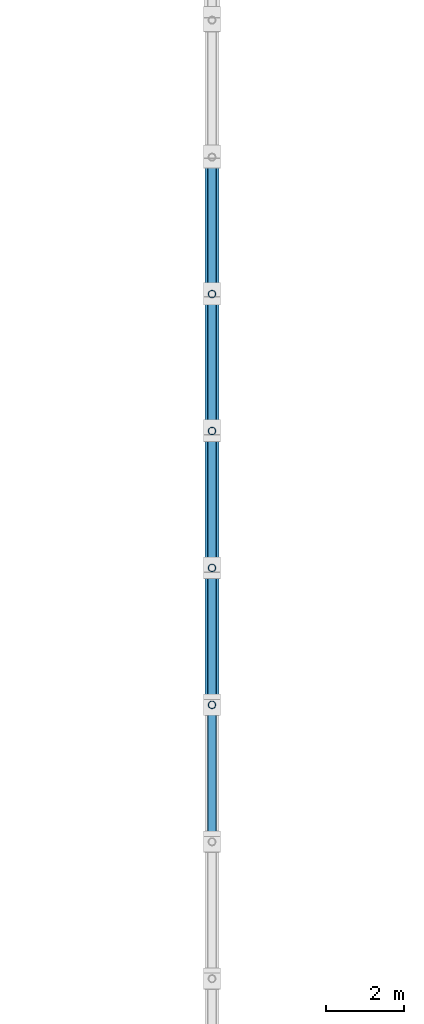
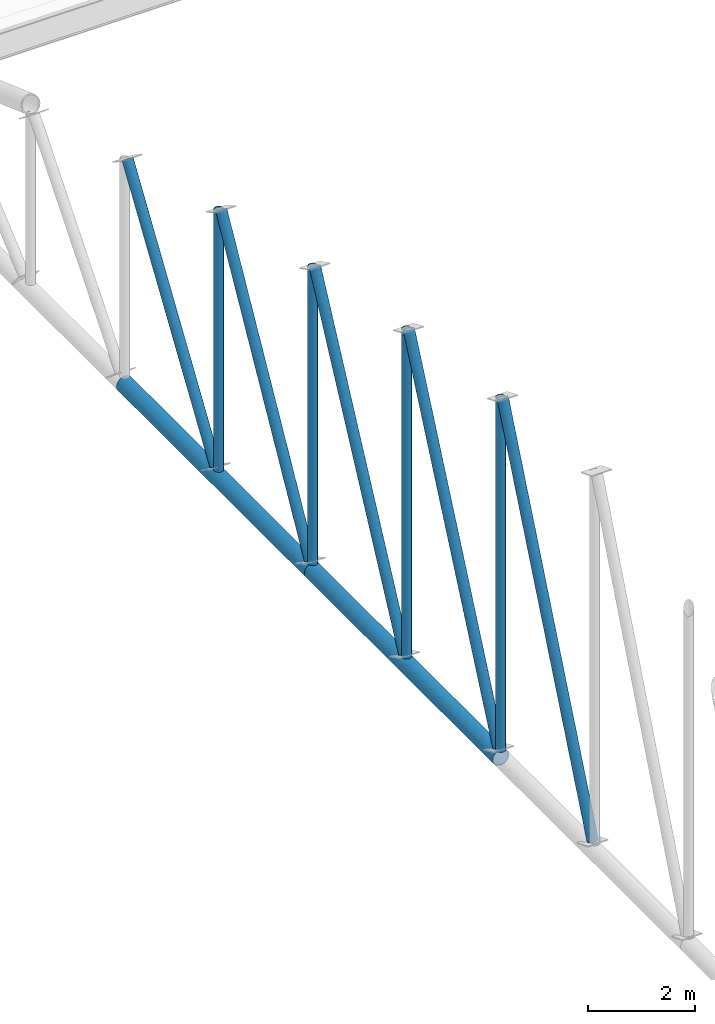
# One storey, part 75 of 196: 11 members.
"""IFC4 building model written with IfcOpenShell, lengths in metres."""

from ifc_helpers import new_model, si_unit, direction, frame, origin, origin_2d, place, context, subcontext, project, spatial, hollow_circle, extrude, material, material_profile, profile_set, type_object, element, save


model = new_model("IFC4")

# Units and contexts
model_context = context("Model", 3, precision=1e-05, world=origin(), true_north=direction((0.0, 1.0)))
body_context = subcontext(model_context, "Body", "Model", "MODEL_VIEW")
ifc_project = project(units=[si_unit("LENGTHUNIT", "METRE"), si_unit("AREAUNIT", "SQUARE_METRE"), si_unit("VOLUMEUNIT", "CUBIC_METRE"), si_unit("PLANEANGLEUNIT", "RADIAN"), si_unit("MASSUNIT", "GRAM", prefix="KILO")], contexts=[model_context])

# Site, building, storey
site_placement = place(None, origin())
site = spatial("IfcSite", under=ifc_project, at=site_placement, CompositionType="ELEMENT")
building_placement = place(site_placement, origin())
building = spatial("IfcBuilding", under=site, at=building_placement, Name="Okhra Congress Centre", CompositionType="ELEMENT")
storey_placement = place(building_placement, frame((0.0, 0.0, 12.0)))
storey = spatial("IfcBuildingStorey", under=building, at=storey_placement, Name="L02", CompositionType="ELEMENT", Elevation=12.0)

# Members
ifc_material = material(Name="Steel S355J2H", Category="steel")
ifc_material_profile_1 = material_profile(ifc_material, hollow_circle(Radius=0.096923828125, WallThickness=0.008056640625, at=origin_2d()), Name="CHS 193.7x8.0")
ifc_profile_set_1 = profile_set([ifc_material_profile_1], Name="Steel S355J2H")
member_type_1 = type_object("IfcMemberType", Name="CHS 193.7x8.0", PredefinedType="POST", material=ifc_profile_set_1)
member_1_placement = place(storey_placement, frame((82.0, 188.0, 1.577880859375), z_axis=(0.0, 0.0, 1.0), x_axis=(1.0, 0.0, 0.0)))
element("IfcMember", 1, at=member_1_placement, inside=storey, type_object=member_type_1, Name="EH.MEM.L02.T4-VER-16", PredefinedType="POST", context=body_context, shape_type="SweptSolid", body=[
    extrude(hollow_circle(Radius=0.096923828125, WallThickness=0.008056640625, at=origin_2d()), origin(), (0.0, 0.0, 1.0), 8.01708984375),
])
member_2_placement = place(storey_placement, frame((82.0, 191.5, 1.577880859375), z_axis=(0.0, 0.0, 1.0), x_axis=(1.0, 0.0, 0.0)))
element("IfcMember", 2, at=member_2_placement, inside=storey, type_object=member_type_1, Name="EH.MEM.L02.T4-VER-17", PredefinedType="POST", context=body_context, shape_type="SweptSolid", body=[
    extrude(hollow_circle(Radius=0.096923828125, WallThickness=0.008056640625, at=origin_2d()), origin(), (0.0, 0.0, 1.0), 7.448974609375),
])
member_3_placement = place(storey_placement, frame((82.0, 195.0, 1.577880859375), z_axis=(0.0, 0.0, 1.0), x_axis=(1.0, 0.0, 0.0)))
element("IfcMember", 3, at=member_3_placement, inside=storey, type_object=member_type_1, Name="EH.MEM.L02.T4-VER-18", PredefinedType="POST", context=body_context, shape_type="SweptSolid", body=[
    extrude(hollow_circle(Radius=0.096923828125, WallThickness=0.008056640625, at=origin_2d()), origin(), (0.0, 0.0, 1.0), 6.750244140625),
])
member_4_placement = place(storey_placement, frame((82.0, 198.5, 1.577880859375), z_axis=(0.0, 0.0, 1.0), x_axis=(1.0, 0.0, 0.0)))
element("IfcMember", 4, at=member_4_placement, inside=storey, type_object=member_type_1, Name="EH.MEM.L02.T4-VER-19", PredefinedType="POST", context=body_context, shape_type="SweptSolid", body=[
    extrude(hollow_circle(Radius=0.096923828125, WallThickness=0.008056640625, at=origin_2d()), origin(), (0.0, 0.0, 1.0), 5.917724609375),
])
ifc_material_profile_2 = material_profile(ifc_material, hollow_circle(Radius=0.109619140625, WallThickness=0.010009765625, at=origin_2d()), Name="CHS 219.1x10.0")
ifc_profile_set_2 = profile_set([ifc_material_profile_2], Name="Steel S355J2H")
member_type_2 = type_object("IfcMemberType", Name="CHS 219.1x10.0", PredefinedType="BRACE", material=ifc_profile_set_2)
member_5_placement = place(storey_placement, frame((82.0, 187.926513671875, 9.6240234375), z_axis=(0.0, -0.384613395842, -0.92307775173), x_axis=(1.0, 0.0, 0.0)))
element("IfcMember", 5, at=member_5_placement, inside=storey, type_object=member_type_2, Name="EH.MEM.L02.T4-DIA-15", PredefinedType="BRACE", context=body_context, shape_type="SweptSolid", body=[
    extrude(hollow_circle(Radius=0.109619140625, WallThickness=0.010009765625, at=origin_2d()), origin(), (0.0, 0.0, 1.0), 8.716552734375),
])
member_6_placement = place(storey_placement, frame((82.0, 191.42236328125, 9.0595703125), z_axis=(0.0, -0.407953800593, -0.913002572057), x_axis=(1.0, 0.0, 0.0)))
element("IfcMember", 6, at=member_6_placement, inside=storey, type_object=member_type_2, Name="EH.MEM.L02.T4-DIA-16", PredefinedType="BRACE", context=body_context, shape_type="SweptSolid", body=[
    extrude(hollow_circle(Radius=0.109619140625, WallThickness=0.010009765625, at=origin_2d()), origin(), (0.0, 0.0, 1.0), 8.194580078125),
])
member_7_placement = place(storey_placement, frame((82.0, 194.916259765625, 8.365234375), z_axis=(0.0, -0.440367038805, -0.897817838503), x_axis=(1.0, 0.0, 0.0)))
element("IfcMember", 7, at=member_7_placement, inside=storey, type_object=member_type_2, Name="EH.MEM.L02.T4-DIA-17", PredefinedType="BRACE", context=body_context, shape_type="SweptSolid", body=[
    extrude(hollow_circle(Radius=0.109619140625, WallThickness=0.010009765625, at=origin_2d()), origin(), (0.0, 0.0, 1.0), 7.559814453125),
])
member_8_placement = place(storey_placement, frame((82.0, 198.4072265625, 7.538330078125), z_axis=(0.0, -0.485332749729, -0.874329527147), x_axis=(1.0, 0.0, 0.0)))
element("IfcMember", 8, at=member_8_placement, inside=storey, type_object=member_type_2, Name="EH.MEM.L02.T4-DIA-18", PredefinedType="BRACE", context=body_context, shape_type="SweptSolid", body=[
    extrude(hollow_circle(Radius=0.109619140625, WallThickness=0.010009765625, at=origin_2d()), origin(), (0.0, 0.0, 1.0), 6.817138671875),
])
ifc_material_profile_3 = material_profile(ifc_material, hollow_circle(Radius=0.109619140625, WallThickness=0.012451171875, at=origin_2d()), Name="CHS 219.1x12.5")
ifc_profile_set_3 = profile_set([ifc_material_profile_3], Name="Steel S355J2H")
member_type_3 = type_object("IfcMemberType", Name="CHS 219.1x12.5", PredefinedType="BRACE", material=ifc_profile_set_3)
member_9_placement = place(storey_placement, frame((82.0, 201.89404296875, 6.576416015625), z_axis=(0.0, -0.548312008951, -0.836273843211), x_axis=(1.0, 0.0, 0.0)))
element("IfcMember", 9, at=member_9_placement, inside=storey, type_object=member_type_3, Name="EH.MEM.L02.T4-DIA-19", PredefinedType="BRACE", context=body_context, shape_type="SweptSolid", body=[
    extrude(hollow_circle(Radius=0.109619140625, WallThickness=0.012451171875, at=origin_2d()), origin(), (0.0, 0.0, 1.0), 5.97705078125),
])
ifc_material_profile_4 = material_profile(ifc_material, hollow_circle(Radius=0.177734375, WallThickness=0.01611328125, at=origin_2d()), Name="CHS 355.6x16.0")
ifc_profile_set_4 = profile_set([ifc_material_profile_4], Name="Steel S355J2H")
member_type_4 = type_object("IfcMemberType", Name="CHS 355.6x16.0", PredefinedType="CHORD", material=ifc_profile_set_4)
for number, where, z_axis, x_axis, name in (
    (10, (82.0, 188.0, 1.39990234375), (0.0, 1.0, 0.0), (-1.0, 0.0, 0.0), "EH.MEM.L02.T4-BOT-09"),
    (11, (82.0, 195.0, 1.39990234375), (0.0, 1.0, 0.0), (-1.0, 0.0, 0.0), "EH.MEM.L02.T4-BOT-10"),
):
    element("IfcMember", number, at=place(storey_placement, frame(where, z_axis=z_axis, x_axis=x_axis)), inside=storey, type_object=member_type_4, Name=name, PredefinedType="CHORD", context=body_context, shape_type="SweptSolid", body=[
        extrude(hollow_circle(Radius=0.177734375, WallThickness=0.01611328125, at=origin_2d()), origin(), (0.0, 0.0, 1.0), 7.0),
    ])

save(model, "model.ifc")
